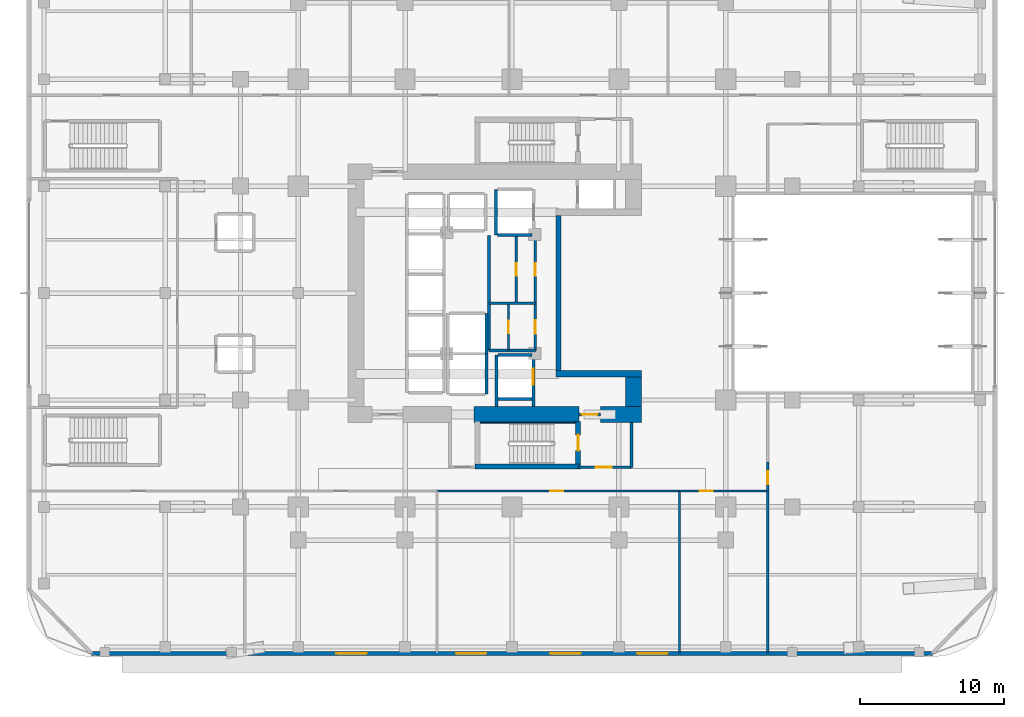
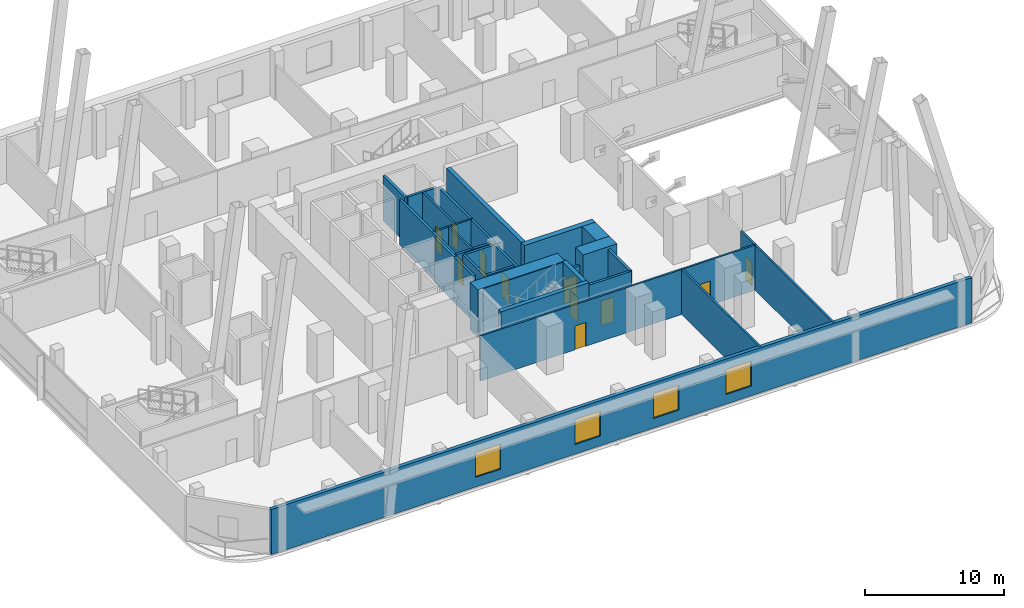
# One storey, part 12 of 23: 32 walls, 11 doors, 4 windows, 15 openings.
"""IFC4 building model written with IfcOpenShell, lengths in metres."""

from ifc_helpers import new_model, si_unit, direction, frame, frame_2d, origin, place, context, subcontext, project, spatial, rectangle, extrude, material, layer, layer_set, type_object, element, fill, save


model = new_model("IFC4")

# Units and contexts
model_context = context("Model", 3, precision=1e-05, world=origin(), true_north=direction((0.0, 1.0)))
body_context = subcontext(model_context, "Body", "Model", "MODEL_VIEW")
ifc_project = project(units=[si_unit("LENGTHUNIT", "METRE"), si_unit("AREAUNIT", "SQUARE_METRE"), si_unit("VOLUMEUNIT", "CUBIC_METRE"), si_unit("PLANEANGLEUNIT", "RADIAN"), si_unit("MASSUNIT", "GRAM", prefix="KILO")], contexts=[model_context])

# Site, building, storey
site_placement = place(None, origin())
site = spatial("IfcSite", under=ifc_project, at=site_placement, CompositionType="ELEMENT")
building_placement = place(site_placement, origin())
building = spatial("IfcBuilding", under=site, at=building_placement, Name="Khorvyn Point Tower", CompositionType="ELEMENT")
storey_placement = place(building_placement, frame((0.0, 0.0, 9.0)))
storey = spatial("IfcBuildingStorey", under=building, at=storey_placement, Name="L03", CompositionType="ELEMENT", Elevation=9.0)

# Wall
ifc_material_1 = material(Name="Concrete C40/50", Category="concrete")
ifc_layer_1 = layer(ifc_material_1, 0.449951171875)
ifc_layer_set_1 = layer_set([ifc_layer_1], Name="Concrete C40/50 Core Shear Wall 450")
wall_type_1 = type_object("IfcWallType", Name="Concrete C40/50 Core Shear Wall 450", PredefinedType="SHEAR", material=ifc_layer_set_1)
wall_1_placement = place(storey_placement, frame((3.044921875, -5.60009765625, 0.0), z_axis=(0.0, 0.0, 1.0), x_axis=(1.0, 0.0, 0.0)))
element("IfcWall", 1, at=wall_1_placement, inside=storey, type_object=wall_type_1, Name="Wall", PredefinedType="SHEAR", context=body_context, shape_type="SweptSolid", body=[
    extrude(rectangle(XDim=5.905029296875, YDim=0.449951171875, at=frame_2d((2.95263671875, 0.0))), origin(), (0.0, 0.0, 1.0), 4.199951171875),
])

# Wall, opening, door
ifc_layer_2 = layer(ifc_material_1, 0.199951171875)
ifc_layer_set_2 = layer_set([ifc_layer_2], Name="Concrete C40/50 Fire-Lobby Compartment Wall 200")
wall_type_2 = type_object("IfcWallType", Name="Concrete C40/50 Fire-Lobby Compartment Wall 200", PredefinedType="SOLIDWALL", material=ifc_layer_set_2)
wall_2_placement = place(storey_placement, frame((4.580078125, -12.06005859375, 0.0), z_axis=(0.0, 0.0, 1.0), x_axis=(1.0, 0.0, 0.0)))
wall_2 = element("IfcWall", 2, at=wall_2_placement, inside=storey, type_object=wall_type_2, Name="Wall", PredefinedType="SOLIDWALL", context=body_context, shape_type="SweptSolid", body=[
    extrude(rectangle(XDim=3.699951171875, YDim=0.199951171875, at=frame_2d((1.85009765625, 0.0))), origin(), (0.0, 0.0, 1.0), 3.9599609375),
])
opening_1_placement = place(wall_2_placement, frame((1.21240234375, 0.0, 0.0)))
opening_1 = element("IfcOpeningElement", 3, at=opening_1_placement, cuts=wall_2, Name="Opening ID-FL90", PredefinedType="OPENING", context=body_context, shape_type="SweptSolid", body=[
    extrude(rectangle(XDim=1.10009765625, YDim=2.14990234375, at=frame_2d((0.550048828125, 1.074951171875))), frame((0.0, 0.10986328125, 0.0), z_axis=(0.0, -1.0, 0.0), x_axis=(1.0, 0.0, 0.0)), (0.0, 0.0, 1.0), 0.219970703125),
])
ifc_material_2 = material(Name="Galvanised powder-coated steel", Category="steel")
door_type_1 = type_object("IfcDoorType", Name="Fire-Rated Steel Lobby and Stair Door 1100x2150", OperationType="NOTDEFINED", PredefinedType="DOOR", material=ifc_material_2)
door_1_placement = place(opening_1_placement, origin())
door_1 = element("IfcDoor", 4, at=door_1_placement, inside=storey, type_object=door_type_1, Name="Door", OperationType="SINGLE_SWING_RIGHT", OverallHeight=2.14990234375, OverallWidth=1.10009765625, PredefinedType="DOOR", context=body_context, shape_type="SweptSolid", body=[
    extrude(rectangle(XDim=1.10009765625, YDim=2.14990234375, at=frame_2d((0.550048828125, 1.074951171875))), frame((0.0, 0.02490234375, 0.0), z_axis=(0.0, -1.0, 0.0), x_axis=(1.0, 0.0, 0.0)), (0.0, 0.0, 1.0), 0.050048828125),
])
fill(opening_1, door_1)

wall_3_placement = place(storey_placement, frame((4.64990234375, -8.39990234375, 0.0), z_axis=(0.0, 0.0, 1.0), x_axis=(1.0, 0.0, 0.0)))
wall_3 = element("IfcWall", 5, at=wall_3_placement, inside=storey, type_object=wall_type_2, Name="Wall", PredefinedType="SOLIDWALL", context=body_context, shape_type="SweptSolid", body=[
    extrude(rectangle(XDim=1.47021484375, YDim=0.199951171875, at=frame_2d((0.735107421875, 0.0))), origin(), (0.0, 0.0, 1.0), 3.0),
])
opening_2_placement = place(wall_3_placement, frame((0.18505859375, 0.0, 0.0)))
opening_2 = element("IfcOpeningElement", 6, at=opening_2_placement, cuts=wall_3, Name="Opening ID-FL90", PredefinedType="OPENING", context=body_context, shape_type="SweptSolid", body=[
    extrude(rectangle(XDim=1.10009765625, YDim=2.14990234375, at=frame_2d((0.550048828125, 1.074951171875))), frame((0.0, 0.10986328125, 0.0), z_axis=(0.0, -1.0, 0.0), x_axis=(1.0, 0.0, 0.0)), (0.0, 0.0, 1.0), 0.219970703125),
])
door_2_placement = place(opening_2_placement, origin())
door_2 = element("IfcDoor", 7, at=door_2_placement, inside=storey, type_object=door_type_1, Name="Door", OperationType="SINGLE_SWING_LEFT", OverallHeight=2.14990234375, OverallWidth=1.10009765625, PredefinedType="DOOR", context=body_context, shape_type="SweptSolid", body=[
    extrude(rectangle(XDim=1.10009765625, YDim=2.14990234375, at=frame_2d((0.550048828125, 1.074951171875))), frame((0.0, 0.02490234375, 0.0), z_axis=(0.0, -1.0, 0.0), x_axis=(1.0, 0.0, 0.0)), (0.0, 0.0, 1.0), 0.050048828125),
])
fill(opening_2, door_2)

wall_4_placement = place(storey_placement, frame((1.610107421875, -3.97998046875, 0.0), z_axis=(0.0, 0.0, 1.0), x_axis=(0.0, 1.0, 0.0)))
wall_4 = element("IfcWall", 8, at=wall_4_placement, inside=storey, type_object=wall_type_2, Name="Wall", PredefinedType="SOLIDWALL", context=body_context, shape_type="SweptSolid", body=[
    extrude(rectangle(XDim=3.27392578125, YDim=0.199951171875, at=frame_2d((1.636962890625, 0.0))), origin(), (0.0, 0.0, 1.0), 3.9599609375),
])
opening_3_placement = place(wall_4_placement, frame((1.177001953125, 0.0, 0.0)))
opening_3 = element("IfcOpeningElement", 9, at=opening_3_placement, cuts=wall_4, Name="Opening ID-RS60", PredefinedType="OPENING", context=body_context, shape_type="SweptSolid", body=[
    extrude(rectangle(XDim=0.919921875, YDim=2.10009765625, at=frame_2d((0.4599609375, 1.050048828125))), frame((0.0, 0.10986328125, 0.0), z_axis=(0.0, -1.0, 0.0), x_axis=(1.0, 0.0, 0.0)), (0.0, 0.0, 1.0), 0.219970703125),
])
door_type_2 = type_object("IfcDoorType", Name="Fire-Rated Riser and Store Steel Door 920x2100", OperationType="NOTDEFINED", PredefinedType="DOOR", material=ifc_material_2)
door_3_placement = place(opening_3_placement, origin())
door_3 = element("IfcDoor", 10, at=door_3_placement, inside=storey, type_object=door_type_2, Name="Door", OperationType="SINGLE_SWING_RIGHT", OverallHeight=2.10009765625, OverallWidth=0.919921875, PredefinedType="DOOR", context=body_context, shape_type="SweptSolid", body=[
    extrude(rectangle(XDim=0.919921875, YDim=2.10009765625, at=frame_2d((0.4599609375, 1.050048828125))), frame((0.0, 0.02490234375, 0.0), z_axis=(0.0, -1.0, 0.0), x_axis=(1.0, 0.0, 0.0)), (0.0, 0.0, 1.0), 0.050048828125),
])
fill(opening_3, door_3)

wall_5_placement = place(storey_placement, frame((1.610107421875, -0.7060546875, 0.0), z_axis=(0.0, 0.0, 1.0), x_axis=(0.0, 1.0, 0.0)))
wall_5 = element("IfcWall", 11, at=wall_5_placement, inside=storey, type_object=wall_type_2, Name="Wall", PredefinedType="SOLIDWALL", context=body_context, shape_type="SweptSolid", body=[
    extrude(rectangle(XDim=4.68603515625, YDim=0.199951171875, at=frame_2d((2.343017578125, 0.0))), origin(), (0.0, 0.0, 1.0), 3.9599609375),
])
opening_4_placement = place(wall_5_placement, frame((1.91796875, 0.0, 0.0)))
opening_4 = element("IfcOpeningElement", 12, at=opening_4_placement, cuts=wall_5, Name="Opening ID-WC85", PredefinedType="OPENING", context=body_context, shape_type="SweptSolid", body=[
    extrude(rectangle(XDim=0.85009765625, YDim=2.10009765625, at=frame_2d((0.425048828125, 1.050048828125))), frame((0.0, 0.10986328125, 0.0), z_axis=(0.0, -1.0, 0.0), x_axis=(1.0, 0.0, 0.0)), (0.0, 0.0, 1.0), 0.219970703125),
])
ifc_material_3 = material(Name="High-pressure laminate on moisture-resistant core", Category="wood")
door_type_3 = type_object("IfcDoorType", Name="Moisture-Resistant Accessible Washroom Door 850x2100", OperationType="NOTDEFINED", PredefinedType="DOOR", material=ifc_material_3)
door_4_placement = place(opening_4_placement, origin())
door_4 = element("IfcDoor", 13, at=door_4_placement, inside=storey, type_object=door_type_3, Name="Door", OperationType="SINGLE_SWING_LEFT", OverallHeight=2.10009765625, OverallWidth=0.85009765625, PredefinedType="DOOR", context=body_context, shape_type="SweptSolid", body=[
    extrude(rectangle(XDim=0.85009765625, YDim=2.10009765625, at=frame_2d((0.425048828125, 1.050048828125))), frame((0.0, 0.02490234375, 0.0), z_axis=(0.0, -1.0, 0.0), x_axis=(1.0, 0.0, 0.0)), (0.0, 0.0, 1.0), 0.050048828125),
])
fill(opening_4, door_4)

# Walls
wall_6_placement = place(storey_placement, frame((8.280029296875, -12.06005859375, 0.0), z_axis=(0.0, 0.0, 1.0), x_axis=(0.0, 1.0, 0.0)))
element("IfcWall", 14, at=wall_6_placement, inside=storey, type_object=wall_type_2, Name="Wall", PredefinedType="SOLIDWALL", context=body_context, shape_type="SweptSolid", body=[
    extrude(rectangle(XDim=3.110107421875, YDim=0.199951171875, at=frame_2d((1.55517578125, 0.0))), origin(), (0.0, 0.0, 1.0), 3.9599609375),
])
wall_7_placement = place(storey_placement, frame((-1.580078125, -3.97998046875, 0.0), z_axis=(0.0, 0.0, 1.0), x_axis=(0.0, 1.0, 0.0)))
element("IfcWall", 15, at=wall_7_placement, inside=storey, type_object=wall_type_2, Name="Wall", PredefinedType="SOLIDWALL", context=body_context, shape_type="SweptSolid", body=[
    extrude(rectangle(XDim=7.9599609375, YDim=0.199951171875, at=frame_2d((3.97998046875, 0.0))), origin(), (0.0, 0.0, 1.0), 3.9599609375),
])
wall_8_placement = place(storey_placement, frame((-1.580078125, -3.97998046875, 0.0), z_axis=(0.0, 0.0, 1.0), x_axis=(1.0, 0.0, 0.0)))
element("IfcWall", 16, at=wall_8_placement, inside=storey, type_object=wall_type_2, Name="Wall", PredefinedType="SOLIDWALL", context=body_context, shape_type="SweptSolid", body=[
    extrude(rectangle(XDim=3.190185546875, YDim=0.199951171875, at=frame_2d((1.59521484375, 0.0))), origin(), (0.0, 0.0, 1.0), 3.9599609375),
])
ifc_layer_3 = layer(ifc_material_1, 0.25)
ifc_layer_set_3 = layer_set([ifc_layer_3], Name="Concrete C40/50 Stair Inner Cheek Structural Wall 250")
wall_type_3 = type_object("IfcWallType", Name="Concrete C40/50 Stair Inner Cheek Structural Wall 250", PredefinedType="SHEAR", material=ifc_layer_set_3)
wall_9_placement = place(storey_placement, frame((-2.199951171875, -8.987548828125, 0.0), z_axis=(0.0, 0.0, 1.0), x_axis=(1.0, 0.0, 0.0)))
element("IfcWall", 17, at=wall_9_placement, inside=storey, type_object=wall_type_3, Name="Wall", PredefinedType="SHEAR", context=body_context, shape_type="SweptSolid", body=[
    extrude(rectangle(XDim=6.599853515625, YDim=0.074951171875, at=frame_2d((3.2998046875, 0.0))), origin(), (0.0, 0.0, 1.0), 4.199951171875),
])
ifc_layer_4 = layer(ifc_material_1, 0.35009765625)
ifc_layer_set_4 = layer_set([ifc_layer_4], Name="Concrete C40/50 Stair Shaft Structural Wall 350")
wall_type_4 = type_object("IfcWallType", Name="Concrete C40/50 Stair Shaft Structural Wall 350", PredefinedType="SHEAR", material=ifc_layer_set_4)
wall_10_placement = place(storey_placement, frame((3.219970703125, -5.375, 0.0), z_axis=(0.0, 0.0, 1.0), x_axis=(0.0, 1.0, 0.0)))
element("IfcWall", 18, at=wall_10_placement, inside=storey, type_object=wall_type_4, Name="Wall", PredefinedType="SHEAR", context=body_context, shape_type="SweptSolid", body=[
    extrude(rectangle(XDim=10.75, YDim=0.35009765625, at=frame_2d((5.375, 0.0))), origin(), (0.0, 0.0, 1.0), 4.199951171875),
])
wall_11_placement = place(storey_placement, frame((-2.554931640625, -12.0, 0.0), z_axis=(0.0, 0.0, 1.0), x_axis=(1.0, 0.0, 0.0)))
element("IfcWall", 19, at=wall_11_placement, inside=storey, type_object=wall_type_4, Name="L03 ST-01 South Shaft Wall", PredefinedType="SHEAR", context=body_context, shape_type="SweptSolid", body=[
    extrude(rectangle(XDim=7.309814453125, YDim=0.35009765625, at=frame_2d((3.65478515625, 0.0))), origin(), (0.0, 0.0, 1.0), 4.199951171875),
])

# Wall, opening, door
wall_12_placement = place(storey_placement, frame((4.580078125, -8.89990234375, 0.0), z_axis=(0.0, 0.0, 1.0), x_axis=(0.0, -1.0, 0.0)))
wall_12 = element("IfcWall", 20, at=wall_12_placement, inside=storey, type_object=wall_type_4, Name="L03 ST-01 East Landing Door Wall", PredefinedType="SHEAR", context=body_context, shape_type="SweptSolid", body=[
    extrude(rectangle(XDim=2.925048828125, YDim=0.35009765625, at=frame_2d((1.46240234375, 0.0))), origin(), (0.0, 0.0, 1.0), 4.199951171875),
])
opening_5_placement = place(wall_12_placement, frame((0.91259765625, 0.0, 0.0)))
opening_5 = element("IfcOpeningElement", 21, at=opening_5_placement, cuts=wall_12, Name="Opening ID-FL90", PredefinedType="OPENING", context=body_context, shape_type="SweptSolid", body=[
    extrude(rectangle(XDim=1.10009765625, YDim=2.14990234375, at=frame_2d((0.550048828125, 1.074951171875))), frame((0.0, 0.18505859375, 0.0), z_axis=(0.0, -1.0, 0.0), x_axis=(1.0, 0.0, 0.0)), (0.0, 0.0, 1.0), 0.3701171875),
])
door_5_placement = place(opening_5_placement, origin())
door_5 = element("IfcDoor", 22, at=door_5_placement, inside=storey, type_object=door_type_1, Name="L03 ST-01 Smokeproof Landing Door", OperationType="SINGLE_SWING_LEFT", OverallHeight=2.14990234375, OverallWidth=1.10009765625, PredefinedType="DOOR", context=body_context, shape_type="SweptSolid", body=[
    extrude(rectangle(XDim=1.10009765625, YDim=2.14990234375, at=frame_2d((0.550048828125, 1.074951171875))), frame((0.0, 0.02490234375, 0.0), z_axis=(0.0, -1.0, 0.0), x_axis=(1.0, 0.0, 0.0)), (0.0, 0.0, 1.0), 0.050048828125),
])
fill(opening_5, door_5)

# Walls
ifc_layer_5 = layer(ifc_material_1, 0.199951171875)
ifc_layer_set_5 = layer_set([ifc_layer_5], Name="Concrete C40/50 Structural Hoistway and Stair Shaft Wall 200")
wall_type_5 = type_object("IfcWallType", Name="Concrete C40/50 Structural Hoistway and Stair Shaft Wall 200", PredefinedType="SHEAR", material=ifc_layer_set_5)
for number, where, z_axis, x_axis, name in (
    (23, (-1.77490234375, -7.0, 0.0), (0.0, 0.0, 1.0), (0.0, 1.0, 0.0), "Wall"),
    (24, (-1.77490234375, -4.199951171875, 0.0), (0.0, 0.0, 1.0), (0.0, 1.0, 0.0), "Wall"),
):
    element("IfcWall", number, at=place(storey_placement, frame(where, z_axis=z_axis, x_axis=x_axis)), inside=storey, type_object=wall_type_5, Name=name, PredefinedType="SHEAR", context=body_context, shape_type="SweptSolid", body=[
        extrude(rectangle(XDim=2.800048828125, YDim=0.199951171875, at=frame_2d((1.39990234375, 0.0))), origin(), (0.0, 0.0, 1.0), 3.9599609375),
    ])
wall_13_placement = place(storey_placement, frame((-1.10009765625, 4.02490234375, 0.0), z_axis=(0.0, 0.0, 1.0), x_axis=(0.0, 1.0, 0.0)))
element("IfcWall", 25, at=wall_13_placement, inside=storey, type_object=wall_type_5, Name="Wall", PredefinedType="SHEAR", context=body_context, shape_type="SweptSolid", body=[
    extrude(rectangle(XDim=3.150146484375, YDim=0.199951171875, at=frame_2d((1.5751953125, 0.0))), origin(), (0.0, 0.0, 1.0), 3.9599609375),
])
wall_14_placement = place(storey_placement, frame((-1.0, 4.02490234375, 0.0), z_axis=(0.0, 0.0, 1.0), x_axis=(1.0, 0.0, 0.0)))
element("IfcWall", 26, at=wall_14_placement, inside=storey, type_object=wall_type_5, Name="Wall", PredefinedType="SHEAR", context=body_context, shape_type="SweptSolid", body=[
    extrude(rectangle(XDim=2.39990234375, YDim=0.199951171875, at=frame_2d((1.199951171875, 0.0))), origin(), (0.0, 0.0, 1.0), 3.9599609375),
])
wall_15_placement = place(storey_placement, frame((-1.074951171875, -7.85009765625, 0.0), z_axis=(0.0, 0.0, 1.0), x_axis=(0.0, 1.0, 0.0)))
element("IfcWall", 27, at=wall_15_placement, inside=storey, type_object=wall_type_5, Name="Wall", PredefinedType="SHEAR", context=body_context, shape_type="SweptSolid", body=[
    extrude(rectangle(XDim=3.5751953125, YDim=0.199951171875, at=frame_2d((1.78759765625, 0.0))), origin(), (0.0, 0.0, 1.0), 3.9599609375),
])

# Wall, opening, door
wall_16_placement = place(storey_placement, frame((1.47509765625, -7.85009765625, 0.0), z_axis=(0.0, 0.0, 1.0), x_axis=(0.0, 1.0, 0.0)))
wall_16 = element("IfcWall", 28, at=wall_16_placement, inside=storey, type_object=wall_type_5, Name="Wall", PredefinedType="SHEAR", context=body_context, shape_type="SweptSolid", body=[
    extrude(rectangle(XDim=3.5751953125, YDim=0.199951171875, at=frame_2d((1.78759765625, 0.0))), origin(), (0.0, 0.0, 1.0), 3.9599609375),
])
opening_6_placement = place(wall_16_placement, frame((1.5, 0.0, 0.0)))
opening_6 = element("IfcOpeningElement", 29, at=opening_6_placement, cuts=wall_16, Name="Opening LD-1122", PredefinedType="OPENING", context=body_context, shape_type="SweptSolid", body=[
    extrude(rectangle(XDim=1.10009765625, YDim=2.199951171875, at=frame_2d((0.550048828125, 1.10009765625))), frame((0.0, 0.10986328125, 0.0), z_axis=(0.0, -1.0, 0.0), x_axis=(1.0, 0.0, 0.0)), (0.0, 0.0, 1.0), 0.219970703125),
])
ifc_material_4 = material(Name="Stainless steel 1.4301", Category="steel")
door_type_4 = type_object("IfcDoorType", Name="Stainless Steel Automatic Sliding Lift Landing Door 1100x2200", OperationType="SLIDING_TO_LEFT", PredefinedType="DOOR", material=ifc_material_4)
door_6_placement = place(opening_6_placement, origin())
door_6 = element("IfcDoor", 30, at=door_6_placement, inside=storey, type_object=door_type_4, Name="L03 FF-01 Sliding Lift Landing Door", OperationType="SLIDING_TO_LEFT", OverallHeight=2.199951171875, OverallWidth=1.10009765625, PredefinedType="DOOR", context=body_context, shape_type="SweptSolid", body=[
    extrude(rectangle(XDim=1.10009765625, YDim=2.199951171875, at=frame_2d((0.550048828125, 1.10009765625))), frame((0.0, 0.02490234375, 0.0), z_axis=(0.0, -1.0, 0.0), x_axis=(1.0, 0.0, 0.0)), (0.0, 0.0, 1.0), 0.050048828125),
])
fill(opening_6, door_6)

# Walls
for number, where, z_axis, x_axis, name in (
    (31, (-0.97509765625, -7.324951171875, 0.0), (0.0, 0.0, 1.0), (1.0, 0.0, 0.0), "Wall"),
    (32, (-0.97509765625, -4.27490234375, 0.0), (0.0, 0.0, 1.0), (1.0, 0.0, 0.0), "Wall"),
):
    element("IfcWall", number, at=place(storey_placement, frame(where, z_axis=z_axis, x_axis=x_axis)), inside=storey, type_object=wall_type_5, Name=name, PredefinedType="SHEAR", context=body_context, shape_type="SweptSolid", body=[
        extrude(rectangle(XDim=2.35009765625, YDim=0.199951171875, at=frame_2d((1.175048828125, 0.0))), origin(), (0.0, 0.0, 1.0), 3.9599609375),
    ])
ifc_material_5 = material(Name="Concrete C50/60", Category="concrete")
ifc_layer_6 = layer(ifc_material_5, 1.10009765625)
ifc_layer_set_6 = layer_set([ifc_layer_6], Name="Concrete C50/60 Core Shear Wall 1100")
wall_type_6 = type_object("IfcWallType", Name="Concrete C50/60 Core Shear Wall 1100", PredefinedType="SHEAR", material=ifc_layer_set_6)
wall_17_placement = place(storey_placement, frame((-2.6201171875, -8.39990234375, 0.0), z_axis=(0.0, 0.0, 1.0), x_axis=(1.0, 0.0, 0.0)))
element("IfcWall", 33, at=wall_17_placement, inside=storey, type_object=wall_type_6, Name="Wall", PredefinedType="SHEAR", context=body_context, shape_type="SweptSolid", body=[
    extrude(rectangle(XDim=7.27001953125, YDim=1.10009765625, at=frame_2d((3.635009765625, 0.0))), origin(), (0.0, 0.0, 1.0), 4.199951171875),
])
wall_18_placement = place(storey_placement, frame((6.1201171875, -8.39990234375, 0.0), z_axis=(0.0, 0.0, 1.0), x_axis=(1.0, 0.0, 0.0)))
element("IfcWall", 34, at=wall_18_placement, inside=storey, type_object=wall_type_6, Name="Wall", PredefinedType="SHEAR", context=body_context, shape_type="SweptSolid", body=[
    extrude(rectangle(XDim=2.829833984375, YDim=1.10009765625, at=frame_2d((1.4150390625, 0.0))), origin(), (0.0, 0.0, 1.0), 4.199951171875),
])
wall_19_placement = place(storey_placement, frame((8.39990234375, -7.85009765625, 0.0), z_axis=(0.0, 0.0, 1.0), x_axis=(0.0, 1.0, 0.0)))
element("IfcWall", 35, at=wall_19_placement, inside=storey, type_object=wall_type_6, Name="Wall", PredefinedType="SHEAR", context=body_context, shape_type="SweptSolid", body=[
    extrude(rectangle(XDim=2.025146484375, YDim=1.10009765625, at=frame_2d((1.0126953125, 0.0))), origin(), (0.0, 0.0, 1.0), 4.199951171875),
])

# Wall, opening, door
ifc_material_6 = material(Name="Moisture-resistant gypsum and cement board", Category="gypsum")
ifc_layer_7 = layer(ifc_material_6, 0.14990234375)
ifc_layer_set_7 = layer_set([ifc_layer_7], Name="Moisture-Resistant Wet-Room Partition Wall 150")
wall_type_7 = type_object("IfcWallType", Name="Moisture-Resistant Wet-Room Partition Wall 150", PredefinedType="PARTITIONING", material=ifc_layer_set_7)
wall_20_placement = place(storey_placement, frame((-0.25, -3.97998046875, 0.0), z_axis=(0.0, 0.0, 1.0), x_axis=(0.0, 1.0, 0.0)))
wall_20 = element("IfcWall", 36, at=wall_20_placement, inside=storey, type_object=wall_type_7, Name="Wall", PredefinedType="PARTITIONING", context=body_context, shape_type="SweptSolid", body=[
    extrude(rectangle(XDim=3.27392578125, YDim=0.14990234375, at=frame_2d((1.636962890625, 0.0))), origin(), (0.0, 0.0, 1.0), 3.9599609375),
])
opening_7_placement = place(wall_20_placement, frame((1.2119140625, 0.0, 0.0)))
opening_7 = element("IfcOpeningElement", 37, at=opening_7_placement, cuts=wall_20, Name="Opening ID-WC85", PredefinedType="OPENING", context=body_context, shape_type="SweptSolid", body=[
    extrude(rectangle(XDim=0.85009765625, YDim=2.10009765625, at=frame_2d((0.425048828125, 1.050048828125))), frame((0.0, 0.0849609375, 0.0), z_axis=(0.0, -1.0, 0.0), x_axis=(1.0, 0.0, 0.0)), (0.0, 0.0, 1.0), 0.169921875),
])
door_7_placement = place(opening_7_placement, origin())
door_7 = element("IfcDoor", 38, at=door_7_placement, inside=storey, type_object=door_type_3, Name="Door", OperationType="SINGLE_SWING_RIGHT", OverallHeight=2.10009765625, OverallWidth=0.85009765625, PredefinedType="DOOR", context=body_context, shape_type="SweptSolid", body=[
    extrude(rectangle(XDim=0.85009765625, YDim=2.10009765625, at=frame_2d((0.425048828125, 1.050048828125))), frame((0.0, 0.02490234375, 0.0), z_axis=(0.0, -1.0, 0.0), x_axis=(1.0, 0.0, 0.0)), (0.0, 0.0, 1.0), 0.050048828125),
])
fill(opening_7, door_7)

wall_21_placement = place(storey_placement, frame((0.2900390625, -0.7060546875, 0.0), z_axis=(0.0, 0.0, 1.0), x_axis=(0.0, 1.0, 0.0)))
wall_21 = element("IfcWall", 39, at=wall_21_placement, inside=storey, type_object=wall_type_7, Name="Wall", PredefinedType="PARTITIONING", context=body_context, shape_type="SweptSolid", body=[
    extrude(rectangle(XDim=4.68603515625, YDim=0.14990234375, at=frame_2d((2.343017578125, 0.0))), origin(), (0.0, 0.0, 1.0), 3.9599609375),
])
opening_8_placement = place(wall_21_placement, frame((1.91796875, 0.0, 0.0)))
opening_8 = element("IfcOpeningElement", 40, at=opening_8_placement, cuts=wall_21, Name="Opening ID-WC85", PredefinedType="OPENING", context=body_context, shape_type="SweptSolid", body=[
    extrude(rectangle(XDim=0.85009765625, YDim=2.10009765625, at=frame_2d((0.425048828125, 1.050048828125))), frame((0.0, 0.0849609375, 0.0), z_axis=(0.0, -1.0, 0.0), x_axis=(1.0, 0.0, 0.0)), (0.0, 0.0, 1.0), 0.169921875),
])
door_8_placement = place(opening_8_placement, origin())
door_8 = element("IfcDoor", 41, at=door_8_placement, inside=storey, type_object=door_type_3, Name="Door", OperationType="SINGLE_SWING_LEFT", OverallHeight=2.10009765625, OverallWidth=0.85009765625, PredefinedType="DOOR", context=body_context, shape_type="SweptSolid", body=[
    extrude(rectangle(XDim=0.85009765625, YDim=2.10009765625, at=frame_2d((0.425048828125, 1.050048828125))), frame((0.0, 0.02490234375, 0.0), z_axis=(0.0, -1.0, 0.0), x_axis=(1.0, 0.0, 0.0)), (0.0, 0.0, 1.0), 0.050048828125),
])
fill(opening_8, door_8)

wall_22_placement = place(storey_placement, frame((-5.199951171875, -13.699951171875, 0.0), z_axis=(0.0, 0.0, 1.0), x_axis=(1.0, 0.0, 0.0)))
wall_22 = element("IfcWall", 42, at=wall_22_placement, inside=storey, type_object=wall_type_7, Name="Wall", PredefinedType="PARTITIONING", context=body_context, shape_type="SweptSolid", body=[
    extrude(rectangle(XDim=16.800048828125, YDim=0.14990234375, at=frame_2d((8.39990234375, 0.0))), origin(), (0.0, 0.0, 1.0), 3.9599609375),
])
opening_9_placement = place(wall_22_placement, frame((7.860595703125, 0.0, 0.0)))
opening_9 = element("IfcOpeningElement", 43, at=opening_9_placement, cuts=wall_22, Name="Opening ID-RM90", PredefinedType="OPENING", context=body_context, shape_type="SweptSolid", body=[
    extrude(rectangle(XDim=0.89990234375, YDim=2.10009765625, at=frame_2d((0.449951171875, 1.050048828125))), frame((0.0, 0.0849609375, 0.0), z_axis=(0.0, -1.0, 0.0), x_axis=(1.0, 0.0, 0.0)), (0.0, 0.0, 1.0), 0.169921875),
])
ifc_material_7 = material(Name="Engineered oak veneer timber", Category="wood")
door_type_5 = type_object("IfcDoorType", Name="Flush Engineered Timber Room Door 900x2100", OperationType="NOTDEFINED", PredefinedType="DOOR", material=ifc_material_7)
door_9_placement = place(opening_9_placement, origin())
door_9 = element("IfcDoor", 44, at=door_9_placement, inside=storey, type_object=door_type_5, Name="Door", OperationType="SINGLE_SWING_RIGHT", OverallHeight=2.10009765625, OverallWidth=0.89990234375, PredefinedType="DOOR", context=body_context, shape_type="SweptSolid", body=[
    extrude(rectangle(XDim=0.89990234375, YDim=2.10009765625, at=frame_2d((0.449951171875, 1.050048828125))), frame((0.0, 0.02490234375, 0.0), z_axis=(0.0, -1.0, 0.0), x_axis=(1.0, 0.0, 0.0)), (0.0, 0.0, 1.0), 0.050048828125),
])
fill(opening_9, door_9)

wall_23_placement = place(storey_placement, frame((11.60009765625, -13.699951171875, 0.0), z_axis=(0.0, 0.0, 1.0), x_axis=(1.0, 0.0, 0.0)))
wall_23 = element("IfcWall", 45, at=wall_23_placement, inside=storey, type_object=wall_type_7, Name="Wall", PredefinedType="PARTITIONING", context=body_context, shape_type="SweptSolid", body=[
    extrude(rectangle(XDim=6.0498046875, YDim=0.14990234375, at=frame_2d((3.02490234375, 0.0))), origin(), (0.0, 0.0, 1.0), 3.9599609375),
])
opening_10_placement = place(wall_23_placement, frame((1.412109375, 0.0, 0.0)))
opening_10 = element("IfcOpeningElement", 46, at=opening_10_placement, cuts=wall_23, Name="Opening ID-RM90", PredefinedType="OPENING", context=body_context, shape_type="SweptSolid", body=[
    extrude(rectangle(XDim=0.89990234375, YDim=2.10009765625, at=frame_2d((0.449951171875, 1.050048828125))), frame((0.0, 0.0849609375, 0.0), z_axis=(0.0, -1.0, 0.0), x_axis=(1.0, 0.0, 0.0)), (0.0, 0.0, 1.0), 0.169921875),
])
door_10_placement = place(opening_10_placement, origin())
door_10 = element("IfcDoor", 47, at=door_10_placement, inside=storey, type_object=door_type_5, Name="Door", OperationType="SINGLE_SWING_LEFT", OverallHeight=2.10009765625, OverallWidth=0.89990234375, PredefinedType="DOOR", context=body_context, shape_type="SweptSolid", body=[
    extrude(rectangle(XDim=0.89990234375, YDim=2.10009765625, at=frame_2d((0.449951171875, 1.050048828125))), frame((0.0, 0.02490234375, 0.0), z_axis=(0.0, -1.0, 0.0), x_axis=(1.0, 0.0, 0.0)), (0.0, 0.0, 1.0), 0.050048828125),
])
fill(opening_10, door_10)

wall_24_placement = place(storey_placement, frame((17.699951171875, -13.699951171875, 0.0), z_axis=(0.0, 0.0, 1.0), x_axis=(0.0, 1.0, 0.0)))
wall_24 = element("IfcWall", 48, at=wall_24_placement, inside=storey, type_object=wall_type_7, Name="Wall", PredefinedType="PARTITIONING", context=body_context, shape_type="SweptSolid", body=[
    extrude(rectangle(XDim=2.0, YDim=0.14990234375, at=frame_2d((1.0, 0.0))), origin(), (0.0, 0.0, 1.0), 3.9599609375),
])
opening_11_placement = place(wall_24_placement, frame((0.471923828125, 0.0, 0.0)))
opening_11 = element("IfcOpeningElement", 49, at=opening_11_placement, cuts=wall_24, Name="Opening ID-RM90", PredefinedType="OPENING", context=body_context, shape_type="SweptSolid", body=[
    extrude(rectangle(XDim=0.89990234375, YDim=2.10009765625, at=frame_2d((0.449951171875, 1.050048828125))), frame((0.0, 0.0849609375, 0.0), z_axis=(0.0, -1.0, 0.0), x_axis=(1.0, 0.0, 0.0)), (0.0, 0.0, 1.0), 0.169921875),
])
door_11_placement = place(opening_11_placement, origin())
door_11 = element("IfcDoor", 50, at=door_11_placement, inside=storey, type_object=door_type_5, Name="Door", OperationType="SINGLE_SWING_RIGHT", OverallHeight=2.10009765625, OverallWidth=0.89990234375, PredefinedType="DOOR", context=body_context, shape_type="SweptSolid", body=[
    extrude(rectangle(XDim=0.89990234375, YDim=2.10009765625, at=frame_2d((0.449951171875, 1.050048828125))), frame((0.0, 0.02490234375, 0.0), z_axis=(0.0, -1.0, 0.0), x_axis=(1.0, 0.0, 0.0)), (0.0, 0.0, 1.0), 0.050048828125),
])
fill(opening_11, door_11)

# Walls
wall_25_placement = place(storey_placement, frame((-1.580078125, -0.7060546875, 0.0), z_axis=(0.0, 0.0, 1.0), x_axis=(1.0, 0.0, 0.0)))
element("IfcWall", 51, at=wall_25_placement, inside=storey, type_object=wall_type_7, Name="Wall", PredefinedType="PARTITIONING", context=body_context, shape_type="SweptSolid", body=[
    extrude(rectangle(XDim=3.190185546875, YDim=0.14990234375, at=frame_2d((1.59521484375, 0.0))), origin(), (0.0, 0.0, 1.0), 3.9599609375),
])
for number, where, z_axis, x_axis, name in (
    (52, (11.60009765625, -24.919921875, 0.0), (0.0, 0.0, 1.0), (0.0, 1.0, 0.0), "Wall"),
    (53, (17.699951171875, -13.699951171875, 0.0), (0.0, 0.0, 1.0), (0.0, -1.0, 0.0), "Wall"),
):
    element("IfcWall", number, at=place(storey_placement, frame(where, z_axis=z_axis, x_axis=x_axis)), inside=storey, type_object=wall_type_7, Name=name, PredefinedType="PARTITIONING", context=body_context, shape_type="SweptSolid", body=[
        extrude(rectangle(XDim=11.219970703125, YDim=0.14990234375, at=frame_2d((5.60986328125, 0.0))), origin(), (0.0, 0.0, 1.0), 3.9599609375),
    ])

# Wall, openings, windows
ifc_material_8 = material(Name="Precast concrete C35/45", Category="concrete")
ifc_layer_8 = layer(ifc_material_8, 0.300048828125)
ifc_layer_set_8 = layer_set([ifc_layer_8], Name="Precast Concrete C35/45 Insulated Podium Facade Wall 300")
wall_type_8 = type_object("IfcWallType", Name="Precast Concrete C35/45 Insulated Podium Facade Wall 300", PredefinedType="SOLIDWALL", material=ifc_layer_set_8)
wall_26_placement = place(storey_placement, frame((29.10009765625, -24.949951171875, 0.0), z_axis=(0.0, 0.0, 1.0), x_axis=(-1.0, 0.0, 0.0)))
wall_26 = element("IfcWall", 54, at=wall_26_placement, inside=storey, type_object=wall_type_8, Name="L03 South Podium Facade Wall", PredefinedType="SOLIDWALL", context=body_context, shape_type="SweptSolid", body=[
    extrude(rectangle(XDim=58.2001953125, YDim=0.300048828125, at=frame_2d((29.10009765625, 0.0))), origin(), (0.0, 0.0, 1.0), 3.9599609375),
])
opening_12_placement = place(wall_26_placement, frame((39.14990234375, 0.0, 0.85009765625)))
opening_12 = element("IfcOpeningElement", 55, at=opening_12_placement, cuts=wall_26, Name="Opening WN-2122", PredefinedType="OPENING", context=body_context, shape_type="SweptSolid", body=[
    extrude(rectangle(XDim=2.10009765625, YDim=2.199951171875, at=frame_2d((1.050048828125, 1.10009765625))), frame((0.0, 0.159912109375, 0.0), z_axis=(0.0, -1.0, 0.0), x_axis=(1.0, 0.0, 0.0)), (0.0, 0.0, 1.0), 0.320068359375),
])
opening_13_placement = place(wall_26_placement, frame((30.875, 0.0, 0.85009765625)))
opening_13 = element("IfcOpeningElement", 56, at=opening_13_placement, cuts=wall_26, Name="Opening WN-2122", PredefinedType="OPENING", context=body_context, shape_type="SweptSolid", body=[
    extrude(rectangle(XDim=2.10009765625, YDim=2.199951171875, at=frame_2d((1.050048828125, 1.10009765625))), frame((0.0, 0.159912109375, 0.0), z_axis=(0.0, -1.0, 0.0), x_axis=(1.0, 0.0, 0.0)), (0.0, 0.0, 1.0), 0.320068359375),
])
opening_14_placement = place(wall_26_placement, frame((24.35009765625, 0.0, 0.85009765625)))
opening_14 = element("IfcOpeningElement", 57, at=opening_14_placement, cuts=wall_26, Name="Opening WN-2122", PredefinedType="OPENING", context=body_context, shape_type="SweptSolid", body=[
    extrude(rectangle(XDim=2.10009765625, YDim=2.199951171875, at=frame_2d((1.050048828125, 1.10009765625))), frame((0.0, 0.159912109375, 0.0), z_axis=(0.0, -1.0, 0.0), x_axis=(1.0, 0.0, 0.0)), (0.0, 0.0, 1.0), 0.320068359375),
])
opening_15_placement = place(wall_26_placement, frame((18.324951171875, 0.0, 0.85009765625)))
opening_15 = element("IfcOpeningElement", 58, at=opening_15_placement, cuts=wall_26, Name="Opening WN-2122", PredefinedType="OPENING", context=body_context, shape_type="SweptSolid", body=[
    extrude(rectangle(XDim=2.10009765625, YDim=2.199951171875, at=frame_2d((1.050048828125, 1.10009765625))), frame((0.0, 0.159912109375, 0.0), z_axis=(0.0, -1.0, 0.0), x_axis=(1.0, 0.0, 0.0)), (0.0, 0.0, 1.0), 0.320068359375),
])
ifc_material_9 = material(Name="Anodised aluminium 6063-T6 and laminated Low-E glass", Category="aluminium")
window_type = type_object("IfcWindowType", Name="Anodised Aluminium School Classroom Daylight Window 2100x2200", PartitioningType="TRIPLE_PANEL_HORIZONTAL", PredefinedType="WINDOW", material=ifc_material_9)
window_1_placement = place(opening_12_placement, origin())
window_1 = element("IfcWindow", 59, at=window_1_placement, inside=storey, type_object=window_type, Name="L03 South Podium Daylight Window S1", OverallHeight=2.199951171875, OverallWidth=2.10009765625, PartitioningType="SINGLE_PANEL", PredefinedType="WINDOW", context=body_context, shape_type="SweptSolid", body=[
    extrude(rectangle(XDim=2.10009765625, YDim=2.199951171875, at=frame_2d((1.050048828125, 1.10009765625))), frame((0.0, 0.030029296875, 0.0), z_axis=(0.0, -1.0, 0.0), x_axis=(1.0, 0.0, 0.0)), (0.0, 0.0, 1.0), 0.06005859375),
])
fill(opening_12, window_1)
window_2_placement = place(opening_13_placement, origin())
window_2 = element("IfcWindow", 60, at=window_2_placement, inside=storey, type_object=window_type, Name="L03 South Podium Daylight Window S2", OverallHeight=2.199951171875, OverallWidth=2.10009765625, PartitioningType="SINGLE_PANEL", PredefinedType="WINDOW", context=body_context, shape_type="SweptSolid", body=[
    extrude(rectangle(XDim=2.10009765625, YDim=2.199951171875, at=frame_2d((1.050048828125, 1.10009765625))), frame((0.0, 0.030029296875, 0.0), z_axis=(0.0, -1.0, 0.0), x_axis=(1.0, 0.0, 0.0)), (0.0, 0.0, 1.0), 0.06005859375),
])
fill(opening_13, window_2)
window_3_placement = place(opening_14_placement, origin())
window_3 = element("IfcWindow", 61, at=window_3_placement, inside=storey, type_object=window_type, Name="L03 South Podium Daylight Window S3", OverallHeight=2.199951171875, OverallWidth=2.10009765625, PartitioningType="SINGLE_PANEL", PredefinedType="WINDOW", context=body_context, shape_type="SweptSolid", body=[
    extrude(rectangle(XDim=2.10009765625, YDim=2.199951171875, at=frame_2d((1.050048828125, 1.10009765625))), frame((0.0, 0.030029296875, 0.0), z_axis=(0.0, -1.0, 0.0), x_axis=(1.0, 0.0, 0.0)), (0.0, 0.0, 1.0), 0.06005859375),
])
fill(opening_14, window_3)
window_4_placement = place(opening_15_placement, origin())
window_4 = element("IfcWindow", 62, at=window_4_placement, inside=storey, type_object=window_type, Name="L03 South Podium Daylight Window S4", OverallHeight=2.199951171875, OverallWidth=2.10009765625, PartitioningType="SINGLE_PANEL", PredefinedType="WINDOW", context=body_context, shape_type="SweptSolid", body=[
    extrude(rectangle(XDim=2.10009765625, YDim=2.199951171875, at=frame_2d((1.050048828125, 1.10009765625))), frame((0.0, 0.030029296875, 0.0), z_axis=(0.0, -1.0, 0.0), x_axis=(1.0, 0.0, 0.0)), (0.0, 0.0, 1.0), 0.06005859375),
])
fill(opening_15, window_4)

save(model, "model.ifc")
